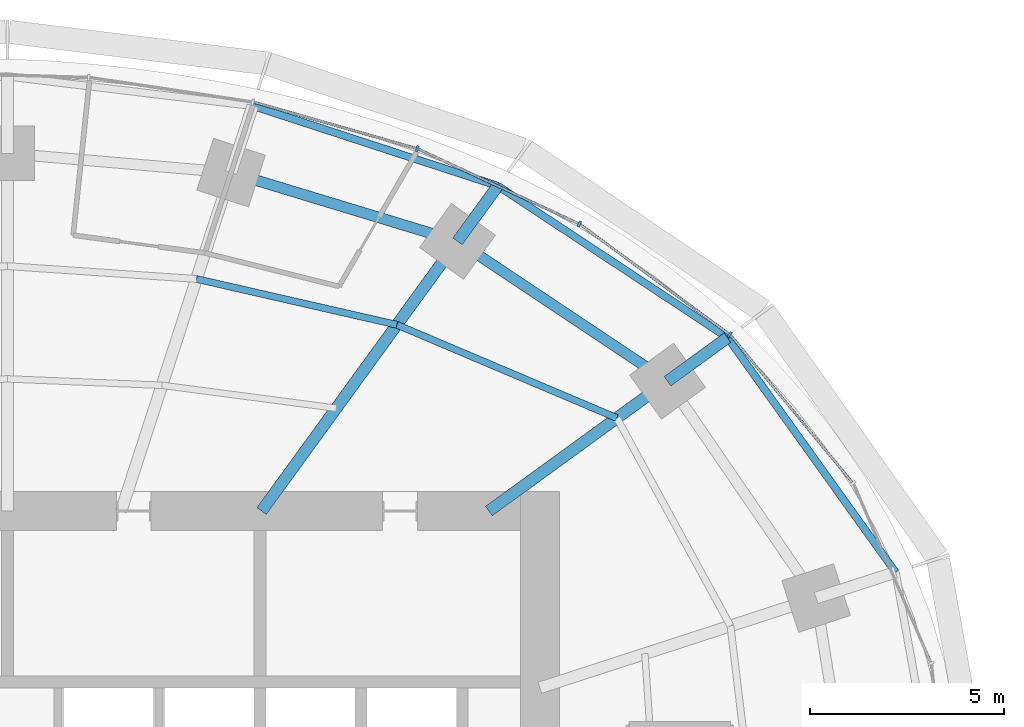
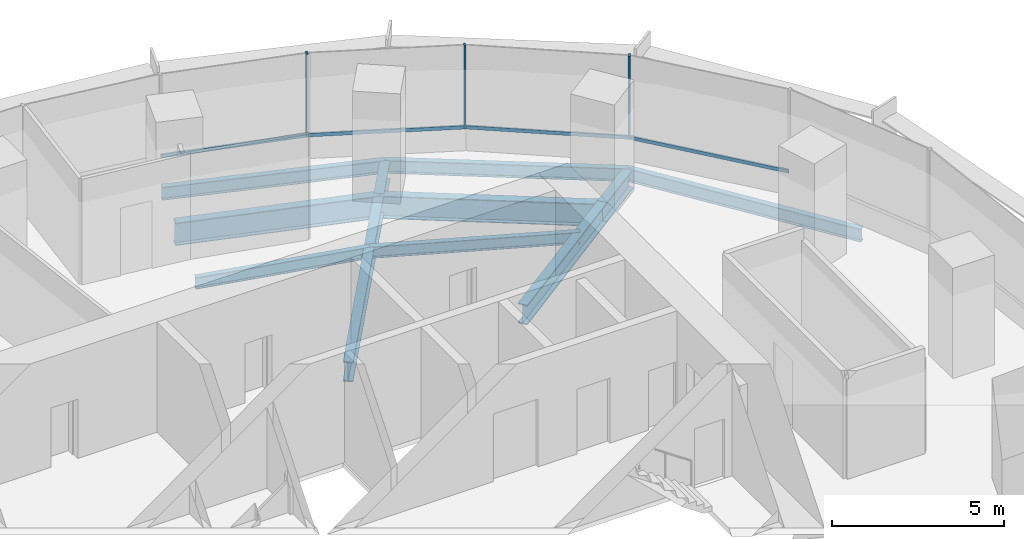
# One storey, part 8 of 15: 11 beams, 7 members, 2 elements without a shape of their own.
"""IFC4 building model written with IfcOpenShell, lengths in metres."""

from ifc_helpers import new_model, si_unit, direction, frame, origin, origin_2d, place, context, subcontext, project, spatial, rectangle, i_section, extrude, material, material_profile, profile_set, type_object, element, aggregate, save


model = new_model("IFC4")

# Units and contexts
model_context = context("Model", 3, precision=1e-05, world=origin(), true_north=direction((0.0, 1.0)))
body_context = subcontext(model_context, "Body", "Model", "MODEL_VIEW")
ifc_project = project(units=[si_unit("LENGTHUNIT", "METRE"), si_unit("AREAUNIT", "SQUARE_METRE"), si_unit("VOLUMEUNIT", "CUBIC_METRE"), si_unit("PLANEANGLEUNIT", "RADIAN"), si_unit("MASSUNIT", "GRAM", prefix="KILO")], contexts=[model_context])

# Site, building, storey
site_placement = place(None, origin())
site = spatial("IfcSite", under=ifc_project, at=site_placement, CompositionType="ELEMENT")
building_placement = place(site_placement, origin())
building = spatial("IfcBuilding", under=site, at=building_placement, Name="Marramba Exchange Tower", CompositionType="ELEMENT")
storey_placement = place(building_placement, frame((0.0, 0.0, 187.699951171875)))
storey = spatial("IfcBuildingStorey", under=building, at=storey_placement, Name="L45", CompositionType="ELEMENT", Elevation=187.699951171875)

# Beams
ifc_material_1 = material(Name="Steel AS/NZS 3679.2 grade 300", Category="steel")
ifc_material_profile_1 = material_profile(ifc_material_1, i_section(OverallWidth=0.300048828125, OverallDepth=0.699951171875, WebThickness=0.010009765625, FlangeThickness=0.031982421875, at=origin_2d()), Name="700WB173")
ifc_profile_set_1 = profile_set([ifc_material_profile_1], Name="Steel AS/NZS 3679.2 grade 300")
beam_type_1 = type_object("IfcBeamType", Name="Cantilever girder 700WB173", PredefinedType="BEAM", material=ifc_profile_set_1)
beam_1_placement = place(storey_placement, frame((16.98583984375, 12.3408203125, -0.510009765625), z_axis=(0.808962750283, 0.587859905636, 0.0), x_axis=(-0.587859905636, 0.808962750283, 0.0)))
element("IfcBeam", 1, at=beam_1_placement, inside=storey, type_object=beam_type_1, Name="Cantilever girder L45 TC03", PredefinedType="BEAM", context=body_context, shape_type="SweptSolid", body=[
    extrude(i_section(OverallWidth=0.300048828125, OverallDepth=0.699951171875, WebThickness=0.010009765625, FlangeThickness=0.031982421875, at=origin_2d()), origin(), (0.0, 0.0, 1.0), 1.9091796875),
])
beam_2_placement = place(storey_placement, frame((11.581298828125, 15.9404296875, -0.510009765625), z_axis=(0.587817766387, 0.808993370504, 0.0), x_axis=(-0.808993370504, 0.587817766387, 0.0)))
element("IfcBeam", 2, at=beam_2_placement, inside=storey, type_object=beam_type_1, Name="Cantilever girder L45 TC04", PredefinedType="BEAM", context=body_context, shape_type="SweptSolid", body=[
    extrude(i_section(OverallWidth=0.300048828125, OverallDepth=0.699951171875, WebThickness=0.010009765625, FlangeThickness=0.031982421875, at=origin_2d()), origin(), (0.0, 0.0, 1.0), 1.763916015625),
])
ifc_material_2 = material(Name="Steel AS/NZS 3679.1 grade 300", Category="steel")
ifc_material_profile_2 = material_profile(ifc_material_2, i_section(OverallWidth=0.177978515625, OverallDepth=0.406005859375, WebThickness=0.0078125, FlangeThickness=0.0126953125, FilletRadius=0.011474609375, at=origin_2d()), Name="410UB59.7")
ifc_profile_set_2 = profile_set([ifc_material_profile_2], Name="Steel AS/NZS 3679.1 grade 300")
beam_type_2 = type_object("IfcBeamType", Name="Floor joist 410UB59.7", PredefinedType="JOIST", material=ifc_profile_set_2)
beam_3_placement = place(storey_placement, frame((15.682373046875, 11.393798828125, -0.363037109375), z_axis=(-0.920674336375, 0.390331610738, 0.0), x_axis=(-0.390331610738, -0.920674336375, 0.0)))
element("IfcBeam", 3, at=beam_3_placement, inside=storey, type_object=beam_type_2, Name="Joist L45 bay 03 row 2", PredefinedType="JOIST", context=body_context, shape_type="SweptSolid", body=[
    extrude(i_section(OverallWidth=0.177978515625, OverallDepth=0.406005859375, WebThickness=0.0078125, FlangeThickness=0.0126953125, FilletRadius=0.011474609375, at=origin_2d()), origin(), (0.0, 0.0, 1.0), 6.1484375),
])
beam_4_placement = place(storey_placement, frame((10.021728515625, 13.793701171875, -0.363037109375), z_axis=(-0.974859652292, 0.222819788916, 0.0), x_axis=(-0.222819788916, -0.974859652292, 0.0)))
element("IfcBeam", 4, at=beam_4_placement, inside=storey, type_object=beam_type_2, Name="Joist L45 bay 04 row 2", PredefinedType="JOIST", context=body_context, shape_type="SweptSolid", body=[
    extrude(i_section(OverallWidth=0.177978515625, OverallDepth=0.406005859375, WebThickness=0.0078125, FlangeThickness=0.0126953125, FilletRadius=0.011474609375, at=origin_2d()), origin(), (0.0, 0.0, 1.0), 5.2900390625),
])

# Curtain wall, members
ifc_material_3 = material(Name="Aluminium framing, bronze anodised", Category="aluminium")
curtain_wall_type = type_object("IfcCurtainWallType", Name="Office ribbon curtain wall", PredefinedType="USERDEFINED", material=ifc_material_3)
curtain_wall_1_placement = place(storey_placement, origin())
curtain_wall_1 = element("IfcCurtainWall", 5, at=curtain_wall_1_placement, inside=storey, type_object=curtain_wall_type, Name="Curtain wall CW4 L45 F01-F05", ObjectType="RIBBON CURTAIN WALL", PredefinedType="USERDEFINED")
ifc_material_4 = material(Name="Aluminium mullion, bronze anodised", Category="aluminium")
ifc_material_profile_3 = material_profile(ifc_material_4, rectangle(XDim=0.159912109375, YDim=0.06005859375, at=origin_2d()), Name="CW4 mullion 60x160")
ifc_profile_set_3 = profile_set([ifc_material_profile_3], Name="Aluminium mullion, bronze anodised")
member_type_1 = type_object("IfcMemberType", Name="Office ribbon curtain wall mullion", PredefinedType="MULLION", material=ifc_profile_set_3)
member_1_placement = place(storey_placement, frame((18.587158203125, 13.53955078125, 0.800048828125), z_axis=(0.0, 0.0, 1.0), x_axis=(-0.593441317494, -0.804877259395, 0.0)))
member_1 = element("IfcMember", 6, at=member_1_placement, type_object=member_type_1, Name="CW4 mullion 1", PredefinedType="MULLION", context=body_context, shape_type="SweptSolid", body=[
    extrude(rectangle(XDim=0.159912109375, YDim=0.06005859375, at=origin_2d()), origin(), (0.0, 0.0, 1.0), 2.93994140625),
])
member_2_placement = place(storey_placement, frame((14.7158203125, 16.386474609375, 0.800048828125), z_axis=(0.0, 0.0, 1.0), x_axis=(-0.422133006189, -0.906533907301, 0.0)))
member_2 = element("IfcMember", 7, at=member_2_placement, type_object=member_type_1, Name="CW4 mullion 1", PredefinedType="MULLION", context=body_context, shape_type="SweptSolid", body=[
    extrude(rectangle(XDim=0.159912109375, YDim=0.06005859375, at=origin_2d()), origin(), (0.0, 0.0, 1.0), 2.93994140625),
])

# Curtain wall, member
curtain_wall_2_placement = place(storey_placement, origin())
curtain_wall_2 = element("IfcCurtainWall", 8, at=curtain_wall_2_placement, inside=storey, type_object=curtain_wall_type, Name="Curtain wall CW4 L45 F06-F10", ObjectType="RIBBON CURTAIN WALL", PredefinedType="USERDEFINED")
member_3_placement = place(storey_placement, frame((10.54541015625, 18.3232421875, 0.800048828125), z_axis=(0.0, 0.0, 1.0), x_axis=(-0.274248164656, -0.961658954195, 0.0)))
member_3 = element("IfcMember", 9, at=member_3_placement, type_object=member_type_1, Name="CW4 mullion 1", PredefinedType="MULLION", context=body_context, shape_type="SweptSolid", body=[
    extrude(rectangle(XDim=0.159912109375, YDim=0.06005859375, at=origin_2d()), origin(), (0.0, 0.0, 1.0), 2.93994140625),
])

# Member
ifc_material_5 = material(Name="Aluminium transom, bronze anodised", Category="aluminium")
ifc_material_profile_4 = material_profile(ifc_material_5, rectangle(XDim=0.06005859375, YDim=0.1201171875, at=origin_2d()), Name="CW4 transom 60x120")
ifc_profile_set_4 = profile_set([ifc_material_profile_4], Name="Aluminium transom, bronze anodised")
member_type_2 = type_object("IfcMemberType", Name="Office ribbon curtain wall transom", PredefinedType="USERDEFINED", material=ifc_profile_set_4)
member_4_placement = place(storey_placement, frame((21.73779296875, 9.74169921875, 0.830078125), z_axis=(-0.637375191043, 0.770553609973, 0.0), x_axis=(-0.770553609973, -0.637375191043, 0.0)))
member_4 = element("IfcMember", 10, at=member_4_placement, type_object=member_type_2, Name="CW4 sill transom", ObjectType="TRANSOM", PredefinedType="USERDEFINED", context=body_context, shape_type="SweptSolid", body=[
    extrude(rectangle(XDim=0.06005859375, YDim=0.1201171875, at=origin_2d()), origin(), (0.0, 0.0, 1.0), 4.905517578125),
])

member_5_placement = place(storey_placement, frame((18.56298828125, 13.557373046875, 0.830078125), z_axis=(-0.804874780157, 0.593444680039, 0.0), x_axis=(-0.593444680039, -0.804874780157, 0.0)))
member_5 = element("IfcMember", 11, at=member_5_placement, type_object=member_type_2, Name="CW4 sill transom", ObjectType="TRANSOM", PredefinedType="USERDEFINED", context=body_context, shape_type="SweptSolid", body=[
    extrude(rectangle(XDim=0.06005859375, YDim=0.1201171875, at=origin_2d()), origin(), (0.0, 0.0, 1.0), 4.745849609375),
])

member_6_placement = place(storey_placement, frame((14.688720703125, 16.399169921875, 0.830078125), z_axis=(-0.906548348139, 0.422101992989, 0.0), x_axis=(-0.422101992989, -0.906548348139, 0.0)))
member_6 = element("IfcMember", 12, at=member_6_placement, type_object=member_type_2, Name="CW4 sill transom", ObjectType="TRANSOM", PredefinedType="USERDEFINED", context=body_context, shape_type="SweptSolid", body=[
    extrude(rectangle(XDim=0.06005859375, YDim=0.1201171875, at=origin_2d()), origin(), (0.0, 0.0, 1.0), 4.53857421875),
])

aggregate(curtain_wall_1, [member_4, member_1, member_5, member_2, member_6])

member_7_placement = place(storey_placement, frame((10.5166015625, 18.33154296875, 0.830078125), z_axis=(-0.961661807825, 0.274238158125, 0.0), x_axis=(-0.274238158125, -0.961661807825, 0.0)))
member_7 = element("IfcMember", 13, at=member_7_placement, type_object=member_type_2, Name="CW4 sill transom", ObjectType="TRANSOM", PredefinedType="USERDEFINED", context=body_context, shape_type="SweptSolid", body=[
    extrude(rectangle(XDim=0.06005859375, YDim=0.1201171875, at=origin_2d()), origin(), (0.0, 0.0, 1.0), 4.340087890625),
])

aggregate(curtain_wall_2, [member_3, member_7])

# Beams
ifc_material_profile_5 = material_profile(ifc_material_1, i_section(OverallWidth=0.300048828125, OverallDepth=0.699951171875, WebThickness=0.010009765625, FlangeThickness=0.031982421875, at=origin_2d()), Name="700WB173")
ifc_profile_set_5 = profile_set([ifc_material_profile_5], Name="Steel AS/NZS 3679.2 grade 300")
beam_type_3 = type_object("IfcBeamType", Name="Radial girder 700WB173", PredefinedType="BEAM", material=ifc_profile_set_5)
beam_5_placement = place(storey_placement, frame((12.387451171875, 9.0, -0.510009765625), z_axis=(0.809025746925, 0.587773205252, 0.0), x_axis=(-0.587773205252, 0.809025746925, 0.0)))
element("IfcBeam", 14, at=beam_5_placement, inside=storey, type_object=beam_type_3, Name="Radial girder L45 TC03", PredefinedType="BEAM", context=body_context, shape_type="SweptSolid", body=[
    extrude(i_section(OverallWidth=0.300048828125, OverallDepth=0.699951171875, WebThickness=0.010009765625, FlangeThickness=0.031982421875, at=origin_2d()), origin(), (0.0, 0.0, 1.0), 5.683837890625),
])
beam_6_placement = place(storey_placement, frame((6.538818359375, 9.0, -0.510009765625), z_axis=(0.587782439969, 0.80901903764, 0.0), x_axis=(-0.80901903764, 0.587782439969, 0.0)))
element("IfcBeam", 15, at=beam_6_placement, inside=storey, type_object=beam_type_3, Name="Radial girder L45 TC04", PredefinedType="BEAM", context=body_context, shape_type="SweptSolid", body=[
    extrude(i_section(OverallWidth=0.300048828125, OverallDepth=0.699951171875, WebThickness=0.010009765625, FlangeThickness=0.031982421875, at=origin_2d()), origin(), (0.0, 0.0, 1.0), 8.578857421875),
])
ifc_material_profile_6 = material_profile(ifc_material_1, i_section(OverallWidth=0.27490234375, OverallDepth=0.800048828125, WebThickness=0.010009765625, FlangeThickness=0.02490234375, at=origin_2d()), Name="800WB168")
ifc_profile_set_6 = profile_set([ifc_material_profile_6], Name="Steel AS/NZS 3679.2 grade 300")
beam_type_4 = type_object("IfcBeamType", Name="Ring beam 800WB168", PredefinedType="SPANDREL", material=ifc_profile_set_6)
beam_7_placement = place(storey_placement, frame((16.98583984375, 12.3408203125, -0.56005859375), z_axis=(-0.832293151443, 0.554335737673, 0.0), x_axis=(-0.554335737673, -0.832293151443, 0.0)))
element("IfcBeam", 16, at=beam_7_placement, inside=storey, type_object=beam_type_4, Name="Ring beam L45 TC03-TC04", PredefinedType="SPANDREL", context=body_context, shape_type="SweptSolid", body=[
    extrude(i_section(OverallWidth=0.27490234375, OverallDepth=0.800048828125, WebThickness=0.010009765625, FlangeThickness=0.02490234375, at=origin_2d()), origin(), (0.0, 0.0, 1.0), 6.49365234375),
])
beam_8_placement = place(storey_placement, frame((11.581298828125, 15.9404296875, -0.56005859375), z_axis=(-0.956924542524, 0.290336735387, 0.0), x_axis=(-0.290336735387, -0.956924542524, 0.0)))
element("IfcBeam", 17, at=beam_8_placement, inside=storey, type_object=beam_type_4, Name="Ring beam L45 TC04-TC05", PredefinedType="SPANDREL", context=body_context, shape_type="SweptSolid", body=[
    extrude(i_section(OverallWidth=0.27490234375, OverallDepth=0.800048828125, WebThickness=0.010009765625, FlangeThickness=0.02490234375, at=origin_2d()), origin(), (0.0, 0.0, 1.0), 6.089599609375),
])
ifc_material_profile_7 = material_profile(ifc_material_2, i_section(OverallWidth=0.19091796875, OverallDepth=0.4599609375, WebThickness=0.010009765625, FlangeThickness=0.01611328125, FilletRadius=0.011474609375, at=origin_2d()), Name="460UB82.1")
ifc_profile_set_7 = profile_set([ifc_material_profile_7], Name="Steel AS/NZS 3679.1 grade 300")
beam_type_5 = type_object("IfcBeamType", Name="Slab edge beam 460UB82.1", PredefinedType="SPANDREL", material=ifc_profile_set_7)
beam_9_placement = place(storey_placement, frame((22.853515625, 7.425537109375, -0.389892578125), z_axis=(-0.582189457885, 0.813053156398, 0.0), x_axis=(-0.813053156398, -0.582189457885, 0.0)))
element("IfcBeam", 18, at=beam_9_placement, inside=storey, type_object=beam_type_5, Name="Slab edge beam L45 TC02-TC03", PredefinedType="SPANDREL", context=body_context, shape_type="SweptSolid", body=[
    extrude(i_section(OverallWidth=0.19091796875, OverallDepth=0.4599609375, WebThickness=0.010009765625, FlangeThickness=0.01611328125, FilletRadius=0.011474609375, at=origin_2d()), origin(), (0.0, 0.0, 1.0), 7.42578125),
])
beam_10_placement = place(storey_placement, frame((18.5302734375, 13.463134765625, -0.389892578125), z_axis=(-0.834459826117, 0.551068778463, 0.0), x_axis=(-0.551068778463, -0.834459826117, 0.0)))
element("IfcBeam", 19, at=beam_10_placement, inside=storey, type_object=beam_type_5, Name="Slab edge beam L45 TC03-TC04", PredefinedType="SPANDREL", context=body_context, shape_type="SweptSolid", body=[
    extrude(i_section(OverallWidth=0.19091796875, OverallDepth=0.4599609375, WebThickness=0.010009765625, FlangeThickness=0.01611328125, FilletRadius=0.011474609375, at=origin_2d()), origin(), (0.0, 0.0, 1.0), 7.0849609375),
])
beam_11_placement = place(storey_placement, frame((12.6181640625, 17.367431640625, -0.389892578125), z_axis=(-0.950608559101, 0.310392279809, 0.0), x_axis=(-0.310392279809, -0.950608559101, 0.0)))
element("IfcBeam", 20, at=beam_11_placement, inside=storey, type_object=beam_type_5, Name="Slab edge beam L45 TC04-TC05", PredefinedType="SPANDREL", context=body_context, shape_type="SweptSolid", body=[
    extrude(i_section(OverallWidth=0.19091796875, OverallDepth=0.4599609375, WebThickness=0.010009765625, FlangeThickness=0.01611328125, FilletRadius=0.011474609375, at=origin_2d()), origin(), (0.0, 0.0, 1.0), 6.6337890625),
])

save(model, "model.ifc")
